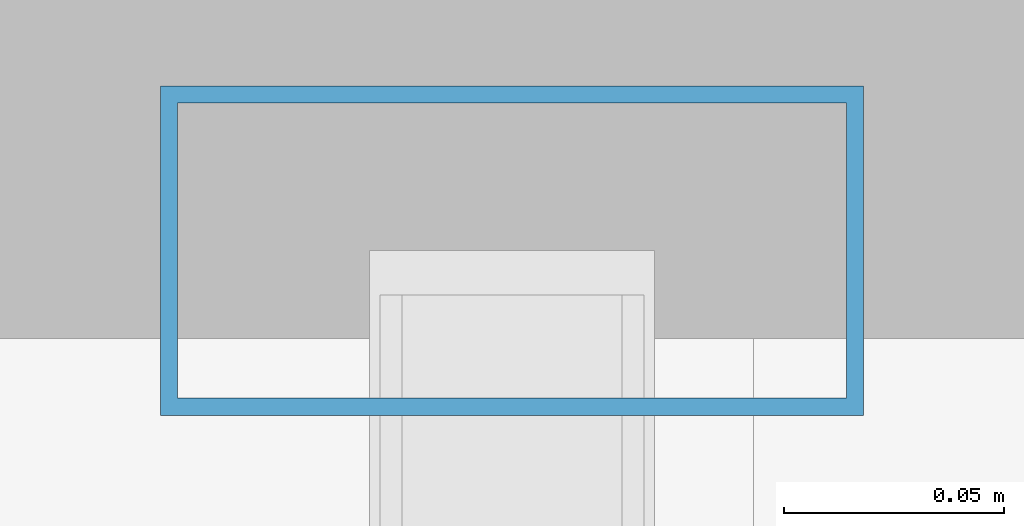
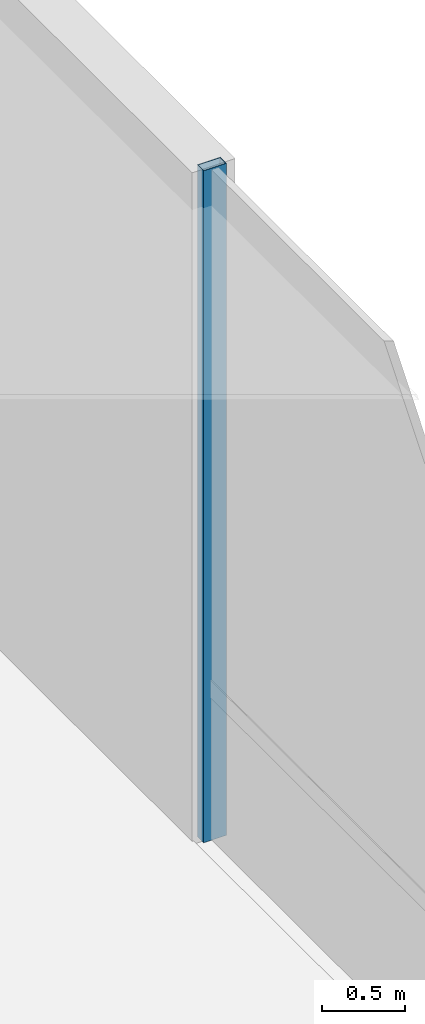
# One storey, part 24 of 41: 1 member, 1 element without a shape of its own.
"""IFC4 building model written with IfcOpenShell, lengths in metres."""

from ifc_helpers import new_model, si_unit, direction, frame, origin, origin_2d, place, context, subcontext, project, spatial, hollow_rectangle, extrude, source, transform, mapped, material, material_profile, profile_set, type_object, element, aggregate, save


model = new_model("IFC4")

# Units and contexts
model_context = context("Model", 3, precision=1e-05, world=origin(), true_north=direction((0.0, 1.0)))
body_context = subcontext(model_context, "Body", "Model", "MODEL_VIEW")
ifc_project = project(units=[si_unit("LENGTHUNIT", "METRE"), si_unit("AREAUNIT", "SQUARE_METRE"), si_unit("VOLUMEUNIT", "CUBIC_METRE"), si_unit("PLANEANGLEUNIT", "RADIAN"), si_unit("MASSUNIT", "GRAM", prefix="KILO")], contexts=[model_context])

# Site, building, storey
site_placement = place(None, origin())
site = spatial("IfcSite", under=ifc_project, at=site_placement, CompositionType="ELEMENT")
building_placement = place(site_placement, origin())
building = spatial("IfcBuilding", under=site, at=building_placement, Name="Valdorenza Pilgrim Sanctuary Tower", CompositionType="ELEMENT")
storey_placement = place(building_placement, frame((0.0, 0.0, 20.800048828125)))
storey = spatial("IfcBuildingStorey", under=building, at=storey_placement, Name="L04", CompositionType="ELEMENT", Elevation=20.800048828125)

# Curtain wall, member
ifc_material_1 = material(Name="Curtain-wall IGU glazing", Category="glass")
curtain_wall_type = type_object("IfcCurtainWallType", Name="CW-SYS-01", PredefinedType="NOTDEFINED", material=ifc_material_1)
curtain_wall_placement = place(storey_placement, origin())
curtain_wall = element("IfcCurtainWall", 1, at=curtain_wall_placement, inside=storey, type_object=curtain_wall_type, Name="L04 Curtain Wall CW-POD-L04-EE", PredefinedType="NOTDEFINED")
ifc_material_2 = material(Name="Anodised aluminium AW-6060", Category="aluminium")
ifc_material_profile = material_profile(ifc_material_2, hollow_rectangle(XDim=0.074951171875, YDim=0.159912109375, WallThickness=0.00390625, at=origin_2d()), Name="ALU-M 160x75x4")
ifc_profile_set = profile_set([ifc_material_profile], Name="Anodised aluminium AW-6060")
member_type = type_object("IfcMemberType", Name="CW-MUL-01", PredefinedType="MULLION", material=ifc_profile_set)
shared_shape = source(origin(), body_context, "Body", "SweptSolid", [
    extrude(hollow_rectangle(XDim=0.074951171875, YDim=0.159912109375, WallThickness=0.00390625, at=origin_2d()), origin(), (0.0, 0.0, 1.0), 4.9599609375),
])
member_placement = place(storey_placement, frame((33.85009765625, 10.0, 0.0), z_axis=(0.0, 0.0, 1.0), x_axis=(0.0, 1.0, 0.0)))
member = element("IfcMember", 2, at=member_placement, type_object=member_type, Name="CW-POD-L04-EE Mullion 4", PredefinedType="MULLION", context=body_context, shape_type="MappedRepresentation", body=[
    mapped(shared_shape, transform((0.0, 0.0, 0.0), x_axis=(1.0, 0.0, 0.0), y_axis=(0.0, 1.0, 0.0), z_axis=(0.0, 0.0, 1.0), scale=1.0)),
])
aggregate(curtain_wall, [member])

save(model, "model.ifc")
